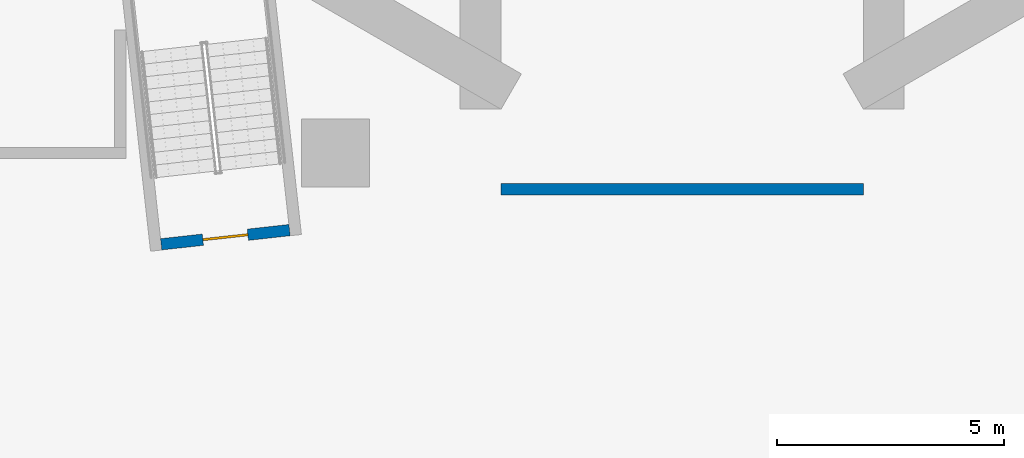
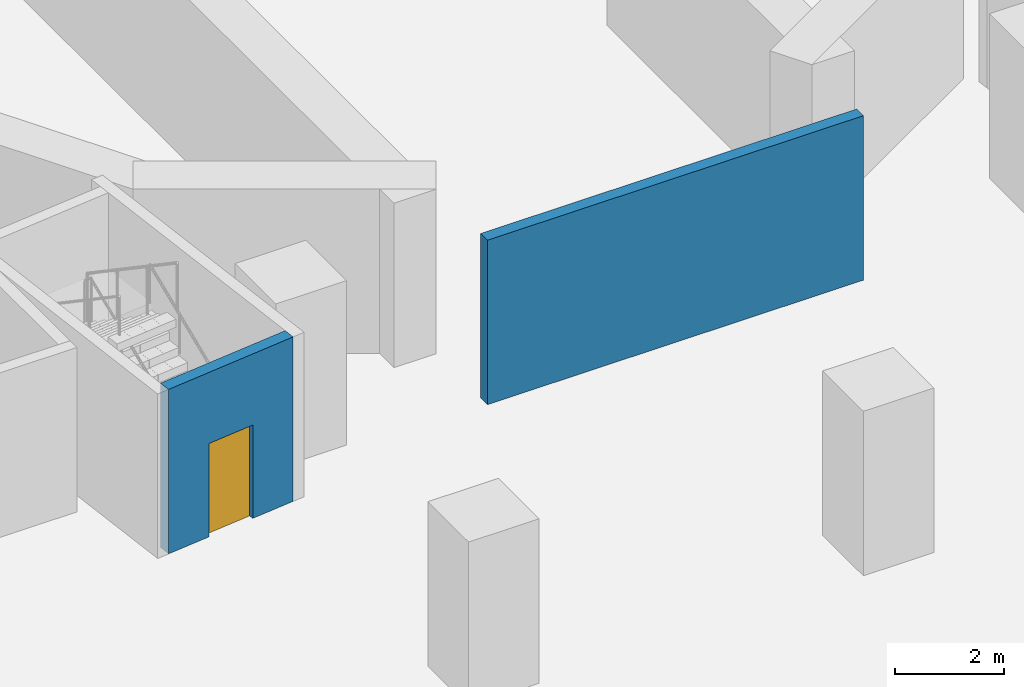
# One storey, part 4 of 18: 2 walls, 1 door, 1 opening.
"""IFC4 building model written with IfcOpenShell, lengths in metres."""

import ifcopenshell
import ifcopenshell.guid

model = None  # the IFC model being written
_history = None  # IfcOwnerHistory: only IFC2X3 demands one
_inside = {}  # id of a spatial element -> (the spatial element, [elements in it])
_under = {}  # id of a project, library or spatial element -> (it, [spatial elements below it])
_declared = {}  # id of a project -> (the project, [libraries it declares])
_typed = {}  # id of a type object -> (the type object, [elements of that type])
_made_of = {}  # id of a material, layer set ... -> (it, [elements and type objects made of it])


def new_model(schema):
    """Start an empty IFC model of exactly this schema.

    Asked for "IFC4X3", IfcOpenShell would pick the latest addendum, in which some entities
    have other attributes; the version numbers below select the first issue.
    IFC2X3 requires an IfcOwnerHistory on every rooted entity: one is made here for all.
    """
    global model, _history
    if schema == "IFC4X3":
        model = ifcopenshell.file(schema_version=(4, 3, 0, 0))
    else:
        model = ifcopenshell.file(schema=schema)
    _inside.clear()
    _under.clear()
    _declared.clear()
    _typed.clear()
    _made_of.clear()
    _history = None
    if model.schema == "IFC2X3":
        org = make("IfcOrganization", Name="unknown")
        user = make(
            "IfcPersonAndOrganization",
            ThePerson=make("IfcPerson", FamilyName="unknown"),
            TheOrganization=org,
        )
        app = make(
            "IfcApplication",
            ApplicationDeveloper=org,
            Version="unknown",
            ApplicationFullName="unknown",
            ApplicationIdentifier="unknown",
        )
        _history = make(
            "IfcOwnerHistory",
            OwningUser=user,
            OwningApplication=app,
            ChangeAction="ADDED",
            CreationDate=0,
        )
    return model


def make(cls, **values):
    """One entity of the class cls with the attributes given. An attribute that is None is left unset."""
    return model.create_entity(
        cls, **{name: value for name, value in values.items() if value is not None}
    )


def rooted(cls, **values):
    """An entity with a GlobalId (a new one), such as an element, a storey or a relation."""
    return make(cls, GlobalId=ifcopenshell.guid.new(), OwnerHistory=_history, **values)


def si_unit(unit_type, name, prefix=None):
    """IfcSIUnit, for example si_unit("LENGTHUNIT", "METRE", prefix="MILLI")."""
    return make("IfcSIUnit", UnitType=unit_type, Prefix=prefix, Name=name)


def assignment(units):
    """IfcUnitAssignment: the units of a project."""
    return None if units is None else make("IfcUnitAssignment", Units=units)


def point(xyz):
    """IfcCartesianPoint."""
    return None if xyz is None else make("IfcCartesianPoint", Coordinates=xyz)


def direction(xyz):
    """IfcDirection."""
    return None if xyz is None else make("IfcDirection", DirectionRatios=xyz)


def frame(location, z_axis=None, x_axis=None):
    """IfcAxis2Placement3D, a coordinate frame: its origin and axes. An axis left out is left unset."""
    return make(
        "IfcAxis2Placement3D",
        Location=point(location),
        Axis=direction(z_axis),
        RefDirection=direction(x_axis),
    )


def frame_2d(location, x_axis=None):
    """IfcAxis2Placement2D, a coordinate frame in the plane: its origin and x axis."""
    return make(
        "IfcAxis2Placement2D", Location=point(location), RefDirection=direction(x_axis)
    )


def origin():
    """The frame at (0, 0, 0) with its axes left unset."""
    return frame((0.0, 0.0, 0.0))


def place(relative_to, where):
    """IfcLocalPlacement: puts the frame where relative to a parent placement (None: the world)."""
    return make(
        "IfcLocalPlacement", PlacementRelTo=relative_to, RelativePlacement=where
    )


def context(
    kind, dimensions, precision=None, world=None, true_north=None, identifier=None
):
    """IfcGeometricRepresentationContext, for example the 3D "Model" context."""
    return make(
        "IfcGeometricRepresentationContext",
        ContextIdentifier=identifier,
        ContextType=kind,
        CoordinateSpaceDimension=dimensions,
        Precision=precision,
        WorldCoordinateSystem=world,
        TrueNorth=true_north,
    )


def subcontext(parent, identifier, kind, view, scale=None):
    """IfcGeometricRepresentationSubContext, for example "Body" below "Model"."""
    return make(
        "IfcGeometricRepresentationSubContext",
        ContextIdentifier=identifier,
        ContextType=kind,
        ParentContext=parent,
        TargetScale=scale,
        TargetView=view,
    )


def project(units=None, contexts=None):
    """IfcProject with its units and contexts."""
    return rooted(
        "IfcProject",
        Name="project",
        RepresentationContexts=contexts,
        UnitsInContext=assignment(units),
    )


def spatial(cls, under=None, at=None, **own):
    """A site, building, storey or space (cls), placed at a placement, below another one or the project."""
    s = rooted(cls, ObjectPlacement=at, **own)
    if under is not None:
        _under.setdefault(under.id(), (under, []))[1].append(s)
    return s


def profile(cls, at=None, kind="AREA", **sizes):
    """A parametric profile (cls). Its sizes go by their IFC names, for example OverallWidth=200.0."""
    return make(cls, ProfileType=kind, Position=at, **sizes)


def rectangle(**sizes):
    """IfcRectangleProfileDef."""
    return profile("IfcRectangleProfileDef", **sizes)


def extrude(swept, where, along, depth):
    """IfcExtrudedAreaSolid: the profile swept, set in the frame where, extruded along a direction by depth."""
    return make(
        "IfcExtrudedAreaSolid",
        SweptArea=swept,
        Position=where,
        ExtrudedDirection=direction(along),
        Depth=depth,
    )


def shape(context_of_items, identifier, shape_type, items):
    """IfcShapeRepresentation: the items that make up one representation, for example the "Body"."""
    return make(
        "IfcShapeRepresentation",
        ContextOfItems=context_of_items,
        RepresentationIdentifier=identifier,
        RepresentationType=shape_type,
        Items=items,
    )


def material(Name=None, Category=None):
    """IfcMaterial."""
    return make("IfcMaterial", Name=Name, Category=Category)


def layer(
    of_material, thickness, ventilated=None, Name=None, Category=None, Priority=None
):
    """IfcMaterialLayer: one layer of a wall or slab, of a material (None: an air gap)."""
    return make(
        "IfcMaterialLayer",
        Material=of_material,
        LayerThickness=thickness,
        IsVentilated=ventilated,
        Name=Name,
        Category=Category,
        Priority=Priority,
    )


def layer_set(layers, Name=None):
    """IfcMaterialLayerSet."""
    return make("IfcMaterialLayerSet", MaterialLayers=layers, LayerSetName=Name)


def made_of(thing, what):
    """Note that an element or type object is made of a material, layer set ...; save() writes the relation."""
    if what is not None:
        _made_of.setdefault(what.id(), (what, []))[1].append(thing)
    return thing


def type_object(cls, material=None, **own):
    """A type object (cls), such as IfcWallType, which elements share."""
    return made_of(rooted(cls, **own), material)


def element(
    cls,
    number,
    at=None,
    inside=None,
    cuts=None,
    type_object=None,
    material=None,
    context=None,
    identifier="Body",
    shape_type=None,
    held_by="IfcProductDefinitionShape",
    body=None,
    shapes=None,
    **own,
):
    """One element of the class cls, such as IfcWall. Its Tag is "e" and its number.

    at: its placement. inside: the storey or other place that contains it. cuts: it is an
    opening in that element (IfcRelVoidsElement). A single representation is given by context,
    identifier, shape_type and body (its items); several are given by shapes. held_by: the class
    of the entity that holds the representations. save() writes the other relations.
    """
    e = rooted(cls, Tag="e%d" % number, ObjectPlacement=at, **own)
    if body is not None:
        shapes = [shape(context, identifier, shape_type, body)]
    if shapes is not None:
        e.Representation = make(held_by, Representations=shapes)
    if inside is not None:
        _inside.setdefault(inside.id(), (inside, []))[1].append(e)
    if cuts is not None:
        rooted(
            "IfcRelVoidsElement", RelatingBuildingElement=cuts, RelatedOpeningElement=e
        )
    if type_object is not None:
        _typed.setdefault(type_object.id(), (type_object, []))[1].append(e)
    return made_of(e, material)


def fill(opening, filler):
    """IfcRelFillsElement: the door or window that sits in an opening."""
    return rooted(
        "IfcRelFillsElement",
        RelatingOpeningElement=opening,
        RelatedBuildingElement=filler,
    )


def aggregate(whole, parts):
    """IfcRelAggregates: a whole, such as a stair, and the parts it consists of."""
    return rooted("IfcRelAggregates", RelatingObject=whole, RelatedObjects=parts)


def save(model, path):
    """Write the relations noted so far, then the file.

    IfcRelAggregates (storeys below a building ...), IfcRelContainedInSpatialStructure (elements
    in a storey), IfcRelDefinesByType, IfcRelAssociatesMaterial and IfcRelDeclares: one each for
    every whole, place, type object, material and project.
    """
    for whole, parts in _under.values():
        aggregate(whole, parts)
    for where, things in _inside.values():
        rooted(
            "IfcRelContainedInSpatialStructure",
            RelatedElements=things,
            RelatingStructure=where,
        )
    for kind, things in _typed.values():
        rooted("IfcRelDefinesByType", RelatedObjects=things, RelatingType=kind)
    for what, things in _made_of.values():
        rooted("IfcRelAssociatesMaterial", RelatedObjects=things, RelatingMaterial=what)
    for by, libraries in _declared.values():
        rooted("IfcRelDeclares", RelatingContext=by, RelatedDefinitions=libraries)
    model.write(path)


model = new_model("IFC4")

# Units and contexts
model_context = context("Model", 3, precision=1e-05, world=origin(), true_north=direction((0.0, 1.0)))
body_context = subcontext(model_context, "Body", "Model", "MODEL_VIEW")
ifc_project = project(units=[si_unit("LENGTHUNIT", "METRE"), si_unit("AREAUNIT", "SQUARE_METRE"), si_unit("VOLUMEUNIT", "CUBIC_METRE"), si_unit("PLANEANGLEUNIT", "RADIAN"), si_unit("MASSUNIT", "GRAM", prefix="KILO")], contexts=[model_context])

# Site, building, storey
site_placement = place(None, origin())
site = spatial("IfcSite", under=ifc_project, at=site_placement, CompositionType="ELEMENT")
building_placement = place(site_placement, origin())
building = spatial("IfcBuilding", under=site, at=building_placement, Name="Cantera Rosa Tower", CompositionType="ELEMENT")
storey_placement = place(building_placement, frame((0.0, 0.0, -9.0)))
storey = spatial("IfcBuildingStorey", under=building, at=storey_placement, Name="B2", CompositionType="ELEMENT", Elevation=-9.0)

# Wall
ifc_material_1 = material(Name="Masonry blockwork", Category="masonry")
ifc_layer_1 = layer(ifc_material_1, 0.25)
ifc_layer_set_1 = layer_set([ifc_layer_1], Name="Fire-rated wall 250")
wall_type_1 = type_object("IfcWallType", Name="Fire-rated wall 250", PredefinedType="PARTITIONING", material=ifc_layer_set_1)
wall_1_placement = place(storey_placement, frame((-4.0, -13.39990234375, 0.0), z_axis=(0.0, 0.0, 1.0), x_axis=(1.0, 0.0, 0.0)))
element("IfcWall", 1, at=wall_1_placement, inside=storey, type_object=wall_type_1, Name="Fire wall B2-2", PredefinedType="PARTITIONING", context=body_context, shape_type="SweptSolid", body=[
    extrude(rectangle(XDim=8.0, YDim=0.25, at=frame_2d((4.0, 0.0))), origin(), (0.0, 0.0, 1.0), 3.699951171875),
])

# Wall, opening, door
ifc_material_2 = material(Name="Concrete C50/60", Category="concrete")
ifc_layer_2 = layer(ifc_material_2, 0.25)
ifc_layer_set_2 = layer_set([ifc_layer_2], Name="RC stair wall 250 C50/60")
wall_type_2 = type_object("IfcWallType", Name="RC stair wall 250", PredefinedType="SOLIDWALL", material=ifc_layer_set_2)
wall_2_placement = place(storey_placement, frame((-8.66650390625, -14.30029296875, 0.0), z_axis=(0.0, 0.0, 1.0), x_axis=(-0.993904609394, -0.110243491536, 0.0)))
wall_2 = element("IfcWall", 2, at=wall_2_placement, inside=storey, type_object=wall_type_2, Name="Stair wall ST-13 B2-1", PredefinedType="SOLIDWALL", context=body_context, shape_type="SweptSolid", body=[
    extrude(rectangle(XDim=2.85009765625, YDim=0.25, at=frame_2d((1.425048828125, 0.0))), origin(), (0.0, 0.0, 1.0), 3.699951171875),
])
opening_placement = place(wall_2_placement, frame((0.925048828125, 0.0, 0.0)))
opening = element("IfcOpeningElement", 3, at=opening_placement, cuts=wall_2, Name="Opening B2-ST-13", PredefinedType="OPENING", context=body_context, shape_type="SweptSolid", body=[
    extrude(rectangle(XDim=1.0, YDim=2.10009765625, at=frame_2d((0.5, 1.050048828125))), frame((0.0, 0.135009765625, 0.0), z_axis=(0.0, -1.0, 0.0), x_axis=(1.0, 0.0, 0.0)), (0.0, 0.0, 1.0), 0.27001953125),
])
ifc_material_3 = material(Name="Steel S355J2 (EN 10025-2)", Category="steel")
door_type = type_object("IfcDoorType", Name="Fire door 1000x2100 EI 120", OperationType="NOTDEFINED", PredefinedType="DOOR", material=ifc_material_3)
door_placement = place(opening_placement, origin())
door = element("IfcDoor", 4, at=door_placement, inside=storey, type_object=door_type, Name="Door B2-ST-13", OverallHeight=2.10009765625, OverallWidth=1.0, PredefinedType="DOOR", context=body_context, shape_type="SweptSolid", body=[
    extrude(rectangle(XDim=1.0, YDim=2.10009765625, at=frame_2d((0.5, 1.050048828125))), frame((0.0, 0.02490234375, 0.0), z_axis=(0.0, -1.0, 0.0), x_axis=(1.0, 0.0, 0.0)), (0.0, 0.0, 1.0), 0.050048828125),
])
fill(opening, door)

save(model, "model.ifc")
